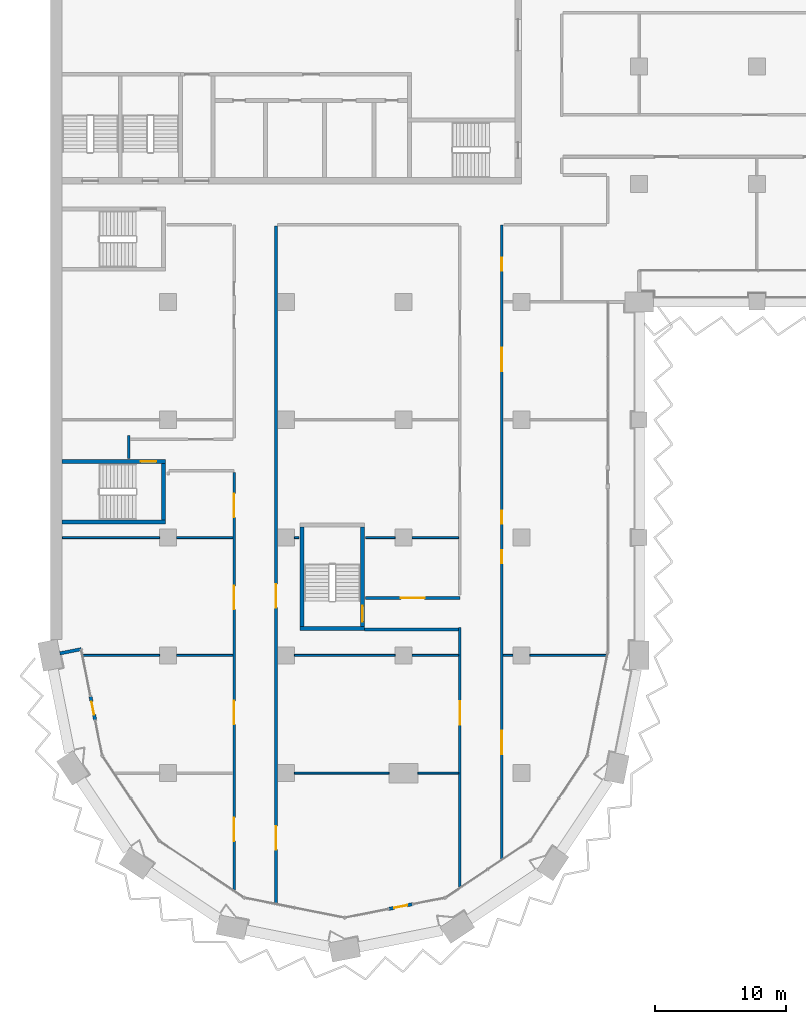
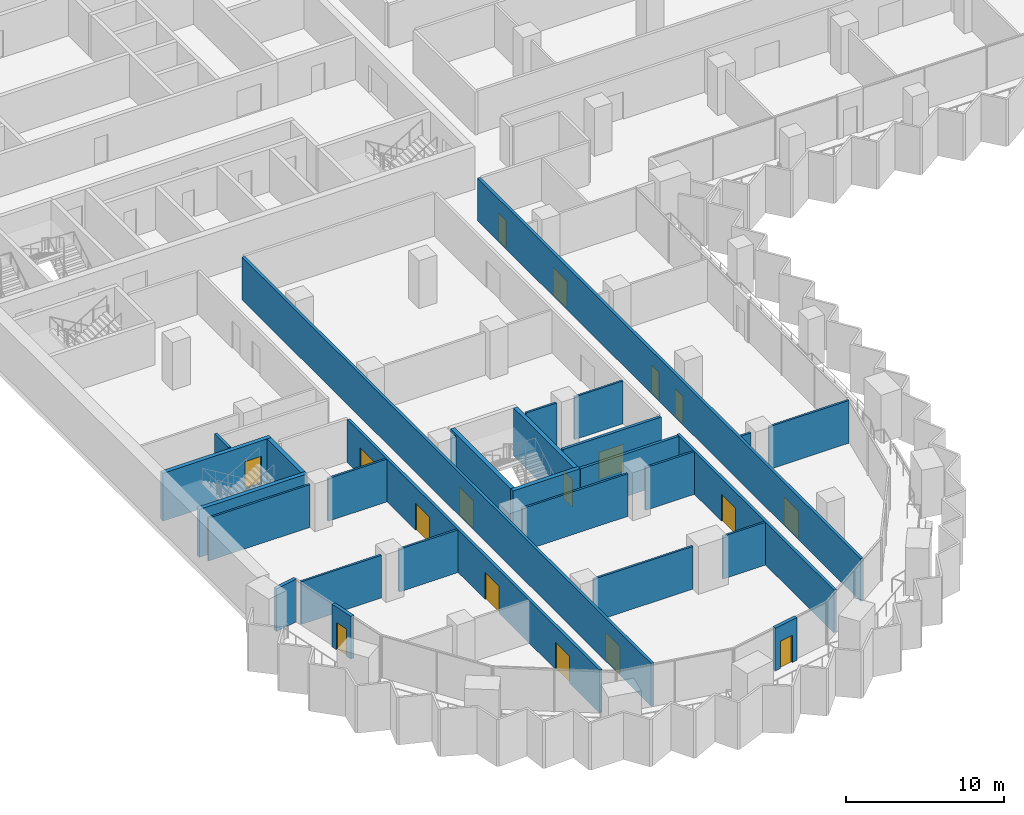
# One storey, part 9 of 23: 29 walls, 17 doors, 17 openings.
"""IFC4 building model written with IfcOpenShell, lengths in metres."""

from ifc_helpers import new_model, si_unit, direction, frame, frame_2d, origin, place, context, subcontext, project, spatial, rectangle, extrude, material, layer, layer_set, type_object, element, fill, save


model = new_model("IFC4")

# Units and contexts
model_context = context("Model", 3, precision=1e-05, world=origin(), true_north=direction((0.0, 1.0)))
body_context = subcontext(model_context, "Body", "Model", "MODEL_VIEW")
ifc_project = project(units=[si_unit("LENGTHUNIT", "METRE"), si_unit("AREAUNIT", "SQUARE_METRE"), si_unit("VOLUMEUNIT", "CUBIC_METRE"), si_unit("PLANEANGLEUNIT", "RADIAN"), si_unit("MASSUNIT", "GRAM", prefix="KILO")], contexts=[model_context])

# Site, building, storey
site_placement = place(None, origin())
site = spatial("IfcSite", under=ifc_project, at=site_placement, CompositionType="ELEMENT")
building_placement = place(site_placement, origin())
building = spatial("IfcBuilding", under=site, at=building_placement, Name="Hunhe Ridgeline Campus", CompositionType="ELEMENT")
storey_placement = place(building_placement, frame((0.0, 0.0, 107.0)))
storey = spatial("IfcBuildingStorey", under=building, at=storey_placement, Name="L26", CompositionType="ELEMENT", Elevation=107.0)

# Walls
ifc_material_1 = material(Name="Concrete C30", Category="concrete")
ifc_layer_1 = layer(ifc_material_1, 0.25)
ifc_layer_set_1 = layer_set([ifc_layer_1], Name="Corner return wall 250 Concrete C30")
wall_type_1 = type_object("IfcWallType", Name="Corner return wall 250 Concrete C30", PredefinedType="SOLIDWALL", material=ifc_layer_set_1)
wall_1_placement = place(storey_placement, frame((0.7353515625, 27.14697265625, 0.0), z_axis=(0.0, 0.0, 1.0), x_axis=(0.980824468215, 0.194893208067, 0.0)))
element("IfcWall", 1, at=wall_1_placement, inside=storey, type_object=wall_type_1, Name="Corner return wall 1", PredefinedType="SOLIDWALL", context=body_context, shape_type="SweptSolid", body=[
    extrude(rectangle(XDim=1.651123046875, YDim=0.25, at=frame_2d((0.82568359375, 0.0))), origin(), (0.0, 0.0, 1.0), 3.300048828125),
])
ifc_material_2 = material(Name="Gypsum board partition")
ifc_layer_2 = layer(ifc_material_2, 0.199951171875)
ifc_layer_set_2 = layer_set([ifc_layer_2], Name="Corridor partition 200 gypsum board on steel studs")
wall_type_2 = type_object("IfcWallType", Name="Corridor partition 200 gypsum board on steel studs", PredefinedType="PARTITIONING", material=ifc_layer_set_2)
wall_2_placement = place(storey_placement, frame((31.199951171875, 28.97509765625, 0.0), z_axis=(0.0, 0.0, 1.0), x_axis=(-1.0, 0.0, 0.0)))
element("IfcWall", 2, at=wall_2_placement, inside=storey, type_object=wall_type_2, Name="F-L26-wall-011", PredefinedType="PARTITIONING", context=body_context, shape_type="SweptSolid", body=[
    extrude(rectangle(XDim=7.169921875, YDim=0.199951171875, at=frame_2d((3.5849609375, 0.0))), origin(), (0.0, 0.0, 1.0), 3.300048828125),
])

# Wall, opening, door
wall_3_placement = place(storey_placement, frame((24.10400390625, 31.375, 0.0), z_axis=(0.0, 0.0, 1.0), x_axis=(1.0, 0.0, 0.0)))
wall_3 = element("IfcWall", 3, at=wall_3_placement, inside=storey, type_object=wall_type_2, Name="F-L26-wall-012", PredefinedType="PARTITIONING", context=body_context, shape_type="SweptSolid", body=[
    extrude(rectangle(XDim=7.196044921875, YDim=0.199951171875, at=frame_2d((3.59814453125, 0.0))), origin(), (0.0, 0.0, 1.0), 3.300048828125),
])
opening_1_placement = place(wall_3_placement, frame((2.697998046875, 0.0, 0.0)))
opening_1 = element("IfcOpeningElement", 4, at=opening_1_placement, cuts=wall_3, Name="Opening RD2-007", PredefinedType="OPENING", context=body_context, shape_type="SweptSolid", body=[
    extrude(rectangle(XDim=1.800048828125, YDim=2.10009765625, at=frame_2d((0.89990234375, 1.050048828125))), frame((0.0, 0.10009765625, 0.0), z_axis=(0.0, -1.0, 0.0), x_axis=(1.0, 0.0, 0.0)), (0.0, 0.0, 1.0), 0.199951171875),
])
ifc_material_3 = material(Name="Timber door leaf", Category="wood")
door_type_1 = type_object("IfcDoorType", Name="Double fire door 1800x2100 timber FD60", OperationType="DOUBLE_DOOR_SINGLE_SWING", PredefinedType="DOOR", material=ifc_material_3)
door_1_placement = place(opening_1_placement, origin())
door_1 = element("IfcDoor", 5, at=door_1_placement, inside=storey, type_object=door_type_1, Name="F-L26-door-007", OperationType="DOUBLE_DOOR_SINGLE_SWING", OverallHeight=2.10009765625, OverallWidth=1.800048828125, PredefinedType="DOOR", context=body_context, shape_type="SweptSolid", body=[
    extrude(rectangle(XDim=1.800048828125, YDim=2.10009765625, at=frame_2d((0.89990234375, 1.050048828125))), frame((0.0, 0.02490234375, 0.0), z_axis=(0.0, -1.0, 0.0), x_axis=(1.0, 0.0, 0.0)), (0.0, 0.0, 1.0), 0.050048828125),
])
fill(opening_1, door_1)

# Wall
wall_4_placement = place(storey_placement, frame((6.0, 42.053955078125, 0.0), z_axis=(0.0, 0.0, 1.0), x_axis=(0.0, 1.0, 0.0)))
element("IfcWall", 6, at=wall_4_placement, inside=storey, type_object=wall_type_2, Name="F-L26-wall-039", PredefinedType="PARTITIONING", context=body_context, shape_type="SweptSolid", body=[
    extrude(rectangle(XDim=1.74609375, YDim=0.199951171875, at=frame_2d((0.873046875, 0.0))), origin(), (0.0, 0.0, 1.0), 3.300048828125),
])

# Wall, openings, doors
wall_5_placement = place(storey_placement, frame((14.050048828125, 9.05810546875, 0.0), z_axis=(0.0, 0.0, 1.0), x_axis=(0.0, 1.0, 0.0)))
wall_5 = element("IfcWall", 7, at=wall_5_placement, inside=storey, type_object=wall_type_2, Name="F-L26-wall-041", PredefinedType="PARTITIONING", context=body_context, shape_type="SweptSolid", body=[
    extrude(rectangle(XDim=31.90087890625, YDim=0.199951171875, at=frame_2d((15.950439453125, 0.0))), origin(), (0.0, 0.0, 1.0), 3.300048828125),
])
opening_2_placement = place(wall_5_placement, frame((3.7470703125, 0.0, 0.0)))
opening_2 = element("IfcOpeningElement", 8, at=opening_2_placement, cuts=wall_5, Name="Opening RD2-002", PredefinedType="OPENING", context=body_context, shape_type="SweptSolid", body=[
    extrude(rectangle(XDim=1.800048828125, YDim=2.10009765625, at=frame_2d((0.89990234375, 1.050048828125))), frame((0.0, 0.10009765625, 0.0), z_axis=(0.0, -1.0, 0.0), x_axis=(1.0, 0.0, 0.0)), (0.0, 0.0, 1.0), 0.199951171875),
])
opening_3_placement = place(wall_5_placement, frame((12.6640625, 0.0, 0.0)))
opening_3 = element("IfcOpeningElement", 9, at=opening_3_placement, cuts=wall_5, Name="Opening RD2-004", PredefinedType="OPENING", context=body_context, shape_type="SweptSolid", body=[
    extrude(rectangle(XDim=1.800048828125, YDim=2.10009765625, at=frame_2d((0.89990234375, 1.050048828125))), frame((0.0, 0.10009765625, 0.0), z_axis=(0.0, -1.0, 0.0), x_axis=(1.0, 0.0, 0.0)), (0.0, 0.0, 1.0), 0.199951171875),
])
opening_4_placement = place(wall_5_placement, frame((21.455810546875, 0.0, 0.0)))
opening_4 = element("IfcOpeningElement", 10, at=opening_4_placement, cuts=wall_5, Name="Opening RD2-006", PredefinedType="OPENING", context=body_context, shape_type="SweptSolid", body=[
    extrude(rectangle(XDim=1.800048828125, YDim=2.10009765625, at=frame_2d((0.89990234375, 1.050048828125))), frame((0.0, 0.10009765625, 0.0), z_axis=(0.0, -1.0, 0.0), x_axis=(1.0, 0.0, 0.0)), (0.0, 0.0, 1.0), 0.199951171875),
])
opening_5_placement = place(wall_5_placement, frame((28.489013671875, 0.0, 0.0)))
opening_5 = element("IfcOpeningElement", 11, at=opening_5_placement, cuts=wall_5, Name="Opening RD2-011", PredefinedType="OPENING", context=body_context, shape_type="SweptSolid", body=[
    extrude(rectangle(XDim=1.800048828125, YDim=2.10009765625, at=frame_2d((0.89990234375, 1.050048828125))), frame((0.0, 0.10009765625, 0.0), z_axis=(0.0, -1.0, 0.0), x_axis=(1.0, 0.0, 0.0)), (0.0, 0.0, 1.0), 0.199951171875),
])
door_2_placement = place(opening_2_placement, origin())
door_2 = element("IfcDoor", 12, at=door_2_placement, inside=storey, type_object=door_type_1, Name="F-L26-door-002", OperationType="DOUBLE_DOOR_SINGLE_SWING", OverallHeight=2.10009765625, OverallWidth=1.800048828125, PredefinedType="DOOR", context=body_context, shape_type="SweptSolid", body=[
    extrude(rectangle(XDim=1.800048828125, YDim=2.10009765625, at=frame_2d((0.89990234375, 1.050048828125))), frame((0.0, 0.02490234375, 0.0), z_axis=(0.0, -1.0, 0.0), x_axis=(1.0, 0.0, 0.0)), (0.0, 0.0, 1.0), 0.050048828125),
])
fill(opening_2, door_2)
door_3_placement = place(opening_3_placement, origin())
door_3 = element("IfcDoor", 13, at=door_3_placement, inside=storey, type_object=door_type_1, Name="F-L26-door-004", OperationType="DOUBLE_DOOR_SINGLE_SWING", OverallHeight=2.10009765625, OverallWidth=1.800048828125, PredefinedType="DOOR", context=body_context, shape_type="SweptSolid", body=[
    extrude(rectangle(XDim=1.800048828125, YDim=2.10009765625, at=frame_2d((0.89990234375, 1.050048828125))), frame((0.0, 0.02490234375, 0.0), z_axis=(0.0, -1.0, 0.0), x_axis=(1.0, 0.0, 0.0)), (0.0, 0.0, 1.0), 0.050048828125),
])
fill(opening_3, door_3)
door_4_placement = place(opening_4_placement, origin())
door_4 = element("IfcDoor", 14, at=door_4_placement, inside=storey, type_object=door_type_1, Name="F-L26-door-006", OperationType="DOUBLE_DOOR_SINGLE_SWING", OverallHeight=2.10009765625, OverallWidth=1.800048828125, PredefinedType="DOOR", context=body_context, shape_type="SweptSolid", body=[
    extrude(rectangle(XDim=1.800048828125, YDim=2.10009765625, at=frame_2d((0.89990234375, 1.050048828125))), frame((0.0, 0.02490234375, 0.0), z_axis=(0.0, -1.0, 0.0), x_axis=(1.0, 0.0, 0.0)), (0.0, 0.0, 1.0), 0.050048828125),
])
fill(opening_4, door_4)
door_5_placement = place(opening_5_placement, origin())
door_5 = element("IfcDoor", 15, at=door_5_placement, inside=storey, type_object=door_type_1, Name="F-L26-door-011", OperationType="DOUBLE_DOOR_SINGLE_SWING", OverallHeight=2.10009765625, OverallWidth=1.800048828125, PredefinedType="DOOR", context=body_context, shape_type="SweptSolid", body=[
    extrude(rectangle(XDim=1.800048828125, YDim=2.10009765625, at=frame_2d((0.89990234375, 1.050048828125))), frame((0.0, 0.02490234375, 0.0), z_axis=(0.0, -1.0, 0.0), x_axis=(1.0, 0.0, 0.0)), (0.0, 0.0, 1.0), 0.050048828125),
])
fill(opening_5, door_5)

wall_6_placement = place(storey_placement, frame((17.25, 59.800048828125, 0.0), z_axis=(0.0, 0.0, 1.0), x_axis=(0.0, -1.0, 0.0)))
wall_6 = element("IfcWall", 16, at=wall_6_placement, inside=storey, type_object=wall_type_2, Name="F-L26-wall-043", PredefinedType="PARTITIONING", context=body_context, shape_type="SweptSolid", body=[
    extrude(rectangle(XDim=51.752685546875, YDim=0.199951171875, at=frame_2d((25.87646484375, 0.0))), origin(), (0.0, 0.0, 1.0), 3.300048828125),
])
opening_6_placement = place(wall_6_placement, frame((45.852294921875, 0.0, 0.0)))
opening_6 = element("IfcOpeningElement", 17, at=opening_6_placement, cuts=wall_6, Name="Opening RD2-001", PredefinedType="OPENING", context=body_context, shape_type="SweptSolid", body=[
    extrude(rectangle(XDim=1.800048828125, YDim=2.10009765625, at=frame_2d((0.89990234375, 1.050048828125))), frame((0.0, 0.10009765625, 0.0), z_axis=(0.0, -1.0, 0.0), x_axis=(1.0, 0.0, 0.0)), (0.0, 0.0, 1.0), 0.199951171875),
])
opening_7_placement = place(wall_6_placement, frame((27.351318359375, 0.0, 0.0)))
opening_7 = element("IfcOpeningElement", 18, at=opening_7_placement, cuts=wall_6, Name="Opening RD2-008", PredefinedType="OPENING", context=body_context, shape_type="SweptSolid", body=[
    extrude(rectangle(XDim=1.800048828125, YDim=2.10009765625, at=frame_2d((0.89990234375, 1.050048828125))), frame((0.0, 0.10009765625, 0.0), z_axis=(0.0, -1.0, 0.0), x_axis=(1.0, 0.0, 0.0)), (0.0, 0.0, 1.0), 0.199951171875),
])
door_6_placement = place(opening_6_placement, origin())
door_6 = element("IfcDoor", 19, at=door_6_placement, inside=storey, type_object=door_type_1, Name="F-L26-door-001", OperationType="DOUBLE_DOOR_SINGLE_SWING", OverallHeight=2.10009765625, OverallWidth=1.800048828125, PredefinedType="DOOR", context=body_context, shape_type="SweptSolid", body=[
    extrude(rectangle(XDim=1.800048828125, YDim=2.10009765625, at=frame_2d((0.89990234375, 1.050048828125))), frame((0.0, 0.02490234375, 0.0), z_axis=(0.0, -1.0, 0.0), x_axis=(1.0, 0.0, 0.0)), (0.0, 0.0, 1.0), 0.050048828125),
])
fill(opening_6, door_6)
door_7_placement = place(opening_7_placement, origin())
door_7 = element("IfcDoor", 20, at=door_7_placement, inside=storey, type_object=door_type_1, Name="F-L26-door-008", OperationType="DOUBLE_DOOR_SINGLE_SWING", OverallHeight=2.10009765625, OverallWidth=1.800048828125, PredefinedType="DOOR", context=body_context, shape_type="SweptSolid", body=[
    extrude(rectangle(XDim=1.800048828125, YDim=2.10009765625, at=frame_2d((0.89990234375, 1.050048828125))), frame((0.0, 0.02490234375, 0.0), z_axis=(0.0, -1.0, 0.0), x_axis=(1.0, 0.0, 0.0)), (0.0, 0.0, 1.0), 0.050048828125),
])
fill(opening_7, door_7)

# Wall, opening, door
wall_7_placement = place(storey_placement, frame((31.300048828125, 9.2919921875, 0.0), z_axis=(0.0, 0.0, 1.0), x_axis=(0.0, 1.0, 0.0)))
wall_7 = element("IfcWall", 21, at=wall_7_placement, inside=storey, type_object=wall_type_2, Name="F-L26-wall-044", PredefinedType="PARTITIONING", context=body_context, shape_type="SweptSolid", body=[
    extrude(rectangle(XDim=19.84619140625, YDim=0.199951171875, at=frame_2d((9.923095703125, 0.0))), origin(), (0.0, 0.0, 1.0), 3.300048828125),
])
opening_8_placement = place(wall_7_placement, frame((12.41455078125, 0.0, 0.0)))
opening_8 = element("IfcOpeningElement", 22, at=opening_8_placement, cuts=wall_7, Name="Opening RD2-005", PredefinedType="OPENING", context=body_context, shape_type="SweptSolid", body=[
    extrude(rectangle(XDim=1.800048828125, YDim=2.10009765625, at=frame_2d((0.89990234375, 1.050048828125))), frame((0.0, 0.10009765625, 0.0), z_axis=(0.0, -1.0, 0.0), x_axis=(1.0, 0.0, 0.0)), (0.0, 0.0, 1.0), 0.199951171875),
])
door_8_placement = place(opening_8_placement, origin())
door_8 = element("IfcDoor", 23, at=door_8_placement, inside=storey, type_object=door_type_1, Name="F-L26-door-005", OperationType="DOUBLE_DOOR_SINGLE_SWING", OverallHeight=2.10009765625, OverallWidth=1.800048828125, PredefinedType="DOOR", context=body_context, shape_type="SweptSolid", body=[
    extrude(rectangle(XDim=1.800048828125, YDim=2.10009765625, at=frame_2d((0.89990234375, 1.050048828125))), frame((0.0, 0.02490234375, 0.0), z_axis=(0.0, -1.0, 0.0), x_axis=(1.0, 0.0, 0.0)), (0.0, 0.0, 1.0), 0.050048828125),
])
fill(opening_8, door_8)

# Wall, openings, doors
wall_8_placement = place(storey_placement, frame((34.5, 59.89990234375, 0.0), z_axis=(0.0, 0.0, 1.0), x_axis=(0.0, -1.0, 0.0)))
wall_8 = element("IfcWall", 24, at=wall_8_placement, inside=storey, type_object=wall_type_2, Name="F-L26-wall-046", PredefinedType="PARTITIONING", context=body_context, shape_type="SweptSolid", body=[
    extrude(rectangle(XDim=48.4697265625, YDim=0.199951171875, at=frame_2d((24.23486328125, 0.0))), origin(), (0.0, 0.0, 1.0), 3.300048828125),
])
opening_9_placement = place(wall_8_placement, frame((38.658935546875, 0.0, 0.0)))
opening_9 = element("IfcOpeningElement", 25, at=opening_9_placement, cuts=wall_8, Name="Opening RD2-003", PredefinedType="OPENING", context=body_context, shape_type="SweptSolid", body=[
    extrude(rectangle(XDim=1.800048828125, YDim=2.10009765625, at=frame_2d((0.89990234375, 1.050048828125))), frame((0.0, 0.10009765625, 0.0), z_axis=(0.0, -1.0, 0.0), x_axis=(1.0, 0.0, 0.0)), (0.0, 0.0, 1.0), 0.199951171875),
])
opening_10_placement = place(wall_8_placement, frame((24.858154296875, 0.0, 0.0)))
opening_10 = element("IfcOpeningElement", 26, at=opening_10_placement, cuts=wall_8, Name="Opening RD1-009", PredefinedType="OPENING", context=body_context, shape_type="SweptSolid", body=[
    extrude(rectangle(XDim=1.0, YDim=2.10009765625, at=frame_2d((0.5, 1.050048828125))), frame((0.0, 0.10009765625, 0.0), z_axis=(0.0, -1.0, 0.0), x_axis=(1.0, 0.0, 0.0)), (0.0, 0.0, 1.0), 0.199951171875),
])
opening_11_placement = place(wall_8_placement, frame((21.858154296875, 0.0, 0.0)))
opening_11 = element("IfcOpeningElement", 27, at=opening_11_placement, cuts=wall_8, Name="Opening RD1-010", PredefinedType="OPENING", context=body_context, shape_type="SweptSolid", body=[
    extrude(rectangle(XDim=1.0, YDim=2.10009765625, at=frame_2d((0.5, 1.050048828125))), frame((0.0, 0.10009765625, 0.0), z_axis=(0.0, -1.0, 0.0), x_axis=(1.0, 0.0, 0.0)), (0.0, 0.0, 1.0), 0.199951171875),
])
opening_12_placement = place(wall_8_placement, frame((9.396728515625, 0.0, 0.0)))
opening_12 = element("IfcOpeningElement", 28, at=opening_12_placement, cuts=wall_8, Name="Opening RD2-014", PredefinedType="OPENING", context=body_context, shape_type="SweptSolid", body=[
    extrude(rectangle(XDim=1.800048828125, YDim=2.10009765625, at=frame_2d((0.89990234375, 1.050048828125))), frame((0.0, 0.10009765625, 0.0), z_axis=(0.0, -1.0, 0.0), x_axis=(1.0, 0.0, 0.0)), (0.0, 0.0, 1.0), 0.199951171875),
])
opening_13_placement = place(wall_8_placement, frame((2.513671875, 0.0, 0.0)))
opening_13 = element("IfcOpeningElement", 29, at=opening_13_placement, cuts=wall_8, Name="Opening RD1-018", PredefinedType="OPENING", context=body_context, shape_type="SweptSolid", body=[
    extrude(rectangle(XDim=1.0, YDim=2.10009765625, at=frame_2d((0.5, 1.050048828125))), frame((0.0, 0.10009765625, 0.0), z_axis=(0.0, -1.0, 0.0), x_axis=(1.0, 0.0, 0.0)), (0.0, 0.0, 1.0), 0.199951171875),
])
door_9_placement = place(opening_9_placement, origin())
door_9 = element("IfcDoor", 30, at=door_9_placement, inside=storey, type_object=door_type_1, Name="F-L26-door-003", OperationType="DOUBLE_DOOR_SINGLE_SWING", OverallHeight=2.10009765625, OverallWidth=1.800048828125, PredefinedType="DOOR", context=body_context, shape_type="SweptSolid", body=[
    extrude(rectangle(XDim=1.800048828125, YDim=2.10009765625, at=frame_2d((0.89990234375, 1.050048828125))), frame((0.0, 0.02490234375, 0.0), z_axis=(0.0, -1.0, 0.0), x_axis=(1.0, 0.0, 0.0)), (0.0, 0.0, 1.0), 0.050048828125),
])
fill(opening_9, door_9)
door_10_placement = place(opening_12_placement, origin())
door_10 = element("IfcDoor", 31, at=door_10_placement, inside=storey, type_object=door_type_1, Name="F-L26-door-014", OperationType="DOUBLE_DOOR_SINGLE_SWING", OverallHeight=2.10009765625, OverallWidth=1.800048828125, PredefinedType="DOOR", context=body_context, shape_type="SweptSolid", body=[
    extrude(rectangle(XDim=1.800048828125, YDim=2.10009765625, at=frame_2d((0.89990234375, 1.050048828125))), frame((0.0, 0.02490234375, 0.0), z_axis=(0.0, -1.0, 0.0), x_axis=(1.0, 0.0, 0.0)), (0.0, 0.0, 1.0), 0.050048828125),
])
fill(opening_12, door_10)
door_type_2 = type_object("IfcDoorType", Name="Single fire door 1000x2100 timber FD60", OperationType="NOTDEFINED", PredefinedType="DOOR", material=ifc_material_3)
door_11_placement = place(opening_10_placement, frame((1.0, 0.0, 0.0), z_axis=(0.0, 0.0, 1.0), x_axis=(-1.0, 0.0, 0.0)))
door_11 = element("IfcDoor", 32, at=door_11_placement, inside=storey, type_object=door_type_2, Name="F-L26-door-009", OperationType="SINGLE_SWING_LEFT", OverallHeight=2.10009765625, OverallWidth=1.0, PredefinedType="DOOR", context=body_context, shape_type="SweptSolid", body=[
    extrude(rectangle(XDim=1.0, YDim=2.10009765625, at=frame_2d((0.5, 1.050048828125))), frame((0.0, 0.02490234375, 0.0), z_axis=(0.0, -1.0, 0.0), x_axis=(1.0, 0.0, 0.0)), (0.0, 0.0, 1.0), 0.050048828125),
])
fill(opening_10, door_11)
door_12_placement = place(opening_11_placement, frame((1.0, 0.0, 0.0), z_axis=(0.0, 0.0, 1.0), x_axis=(-1.0, 0.0, 0.0)))
door_12 = element("IfcDoor", 33, at=door_12_placement, inside=storey, type_object=door_type_2, Name="F-L26-door-010", OperationType="SINGLE_SWING_RIGHT", OverallHeight=2.10009765625, OverallWidth=1.0, PredefinedType="DOOR", context=body_context, shape_type="SweptSolid", body=[
    extrude(rectangle(XDim=1.0, YDim=2.10009765625, at=frame_2d((0.5, 1.050048828125))), frame((0.0, 0.02490234375, 0.0), z_axis=(0.0, -1.0, 0.0), x_axis=(1.0, 0.0, 0.0)), (0.0, 0.0, 1.0), 0.050048828125),
])
fill(opening_11, door_12)
door_13_placement = place(opening_13_placement, origin())
door_13 = element("IfcDoor", 34, at=door_13_placement, inside=storey, type_object=door_type_2, Name="F-L26-door-018", OperationType="SINGLE_SWING_LEFT", OverallHeight=2.10009765625, OverallWidth=1.0, PredefinedType="DOOR", context=body_context, shape_type="SweptSolid", body=[
    extrude(rectangle(XDim=1.0, YDim=2.10009765625, at=frame_2d((0.5, 1.050048828125))), frame((0.0, 0.02490234375, 0.0), z_axis=(0.0, -1.0, 0.0), x_axis=(1.0, 0.0, 0.0)), (0.0, 0.0, 1.0), 0.050048828125),
])
fill(opening_13, door_13)

# Wall, opening, door
ifc_layer_3 = layer(ifc_material_1, 0.25)
ifc_layer_set_3 = layer_set([ifc_layer_3], Name="Loggia door pier wall 250 Concrete C30")
wall_type_3 = type_object("IfcWallType", Name="Loggia door pier wall 250 Concrete C30", PredefinedType="SOLIDWALL", material=ifc_layer_set_3)
wall_9_placement = place(storey_placement, frame((3.076904296875, 23.8388671875, 0.0), z_axis=(0.0, 0.0, 1.0), x_axis=(0.195046569833, -0.980793982239, 0.0)))
wall_9 = element("IfcWall", 35, at=wall_9_placement, inside=storey, type_object=wall_type_3, Name="Loggia door pier 1", PredefinedType="SOLIDWALL", context=body_context, shape_type="SweptSolid", body=[
    extrude(rectangle(XDim=1.800048828125, YDim=0.25, at=frame_2d((0.89990234375, 0.0))), origin(), (0.0, 0.0, 1.0), 3.300048828125),
])
opening_14_placement = place(wall_9_placement, frame((0.39990234375, 0.0, 0.0)))
opening_14 = element("IfcOpeningElement", 36, at=opening_14_placement, cuts=wall_9, Name="Opening BD201", PredefinedType="OPENING", context=body_context, shape_type="SweptSolid", body=[
    extrude(rectangle(XDim=1.0, YDim=2.10009765625, at=frame_2d((0.5, 1.050048828125))), frame((0.0, 0.125, 0.0), z_axis=(0.0, -1.0, 0.0), x_axis=(1.0, 0.0, 0.0)), (0.0, 0.0, 1.0), 0.25),
])
ifc_material_4 = material(Name="Aluminium 6063", Category="aluminium")
door_type_3 = type_object("IfcDoorType", Name="Loggia glazed door 1000x2100", OperationType="NOTDEFINED", PredefinedType="DOOR", material=ifc_material_4)
door_14_placement = place(opening_14_placement, frame((1.0, 0.0, 0.0), z_axis=(0.0, 0.0, 1.0), x_axis=(-1.0, 0.0, 0.0)))
door_14 = element("IfcDoor", 37, at=door_14_placement, inside=storey, type_object=door_type_3, Name="Loggia door BD201", OperationType="SINGLE_SWING_RIGHT", OverallHeight=2.10009765625, OverallWidth=1.0, PredefinedType="DOOR", context=body_context, shape_type="SweptSolid", body=[
    extrude(rectangle(XDim=1.0, YDim=2.10009765625, at=frame_2d((0.5, 1.050048828125))), frame((0.0, 0.02490234375, 0.0), z_axis=(0.0, -1.0, 0.0), x_axis=(1.0, 0.0, 0.0)), (0.0, 0.0, 1.0), 0.050048828125),
])
fill(opening_14, door_14)

wall_10_placement = place(storey_placement, frame((25.8955078125, 7.62353515625, 0.0), z_axis=(0.0, 0.0, 1.0), x_axis=(0.980793982239, 0.195046569833, 0.0)))
wall_10 = element("IfcWall", 38, at=wall_10_placement, inside=storey, type_object=wall_type_3, Name="Loggia door pier 2", PredefinedType="SOLIDWALL", context=body_context, shape_type="SweptSolid", body=[
    extrude(rectangle(XDim=1.800048828125, YDim=0.25, at=frame_2d((0.89990234375, 0.0))), origin(), (0.0, 0.0, 1.0), 3.300048828125),
])
opening_15_placement = place(wall_10_placement, frame((0.39990234375, 0.0, 0.0)))
opening_15 = element("IfcOpeningElement", 39, at=opening_15_placement, cuts=wall_10, Name="Opening BD203", PredefinedType="OPENING", context=body_context, shape_type="SweptSolid", body=[
    extrude(rectangle(XDim=1.0, YDim=2.10009765625, at=frame_2d((0.5, 1.050048828125))), frame((0.0, 0.125, 0.0), z_axis=(0.0, -1.0, 0.0), x_axis=(1.0, 0.0, 0.0)), (0.0, 0.0, 1.0), 0.25),
])
door_15_placement = place(opening_15_placement, frame((1.0, 0.0, 0.0), z_axis=(0.0, 0.0, 1.0), x_axis=(-1.0, 0.0, 0.0)))
door_15 = element("IfcDoor", 40, at=door_15_placement, inside=storey, type_object=door_type_3, Name="Loggia door BD203", OperationType="SINGLE_SWING_RIGHT", OverallHeight=2.10009765625, OverallWidth=1.0, PredefinedType="DOOR", context=body_context, shape_type="SweptSolid", body=[
    extrude(rectangle(XDim=1.0, YDim=2.10009765625, at=frame_2d((0.5, 1.050048828125))), frame((0.0, 0.02490234375, 0.0), z_axis=(0.0, -1.0, 0.0), x_axis=(1.0, 0.0, 0.0)), (0.0, 0.0, 1.0), 0.050048828125),
])
fill(opening_15, door_15)

# Walls
ifc_layer_4 = layer(ifc_material_2, 0.14990234375)
ifc_layer_set_4 = layer_set([ifc_layer_4], Name="Room partition 150 gypsum board on steel studs")
wall_type_4 = type_object("IfcWallType", Name="Room partition 150 gypsum board on steel studs", PredefinedType="PARTITIONING", material=ifc_layer_set_4)
wall_11_placement = place(storey_placement, frame((18.64990234375, 18.0, 0.0), z_axis=(0.0, 0.0, 1.0), x_axis=(1.0, 0.0, 0.0)))
element("IfcWall", 41, at=wall_11_placement, inside=storey, type_object=wall_type_4, Name="F-L26-wall-003", PredefinedType="PARTITIONING", context=body_context, shape_type="SweptSolid", body=[
    extrude(rectangle(XDim=7.25, YDim=0.14990234375, at=frame_2d((3.625, 0.0))), origin(), (0.0, 0.0, 1.0), 3.300048828125),
])
wall_12_placement = place(storey_placement, frame((28.10009765625, 18.0, 0.0), z_axis=(0.0, 0.0, 1.0), x_axis=(1.0, 0.0, 0.0)))
element("IfcWall", 42, at=wall_12_placement, inside=storey, type_object=wall_type_4, Name="F-L26-wall-004", PredefinedType="PARTITIONING", context=body_context, shape_type="SweptSolid", body=[
    extrude(rectangle(XDim=3.099853515625, YDim=0.14990234375, at=frame_2d((1.5498046875, 0.0))), origin(), (0.0, 0.0, 1.0), 3.300048828125),
])
wall_13_placement = place(storey_placement, frame((2.503173828125, 27.0, 0.0), z_axis=(0.0, 0.0, 1.0), x_axis=(1.0, 0.0, 0.0)))
element("IfcWall", 43, at=wall_13_placement, inside=storey, type_object=wall_type_4, Name="F-L26-wall-005", PredefinedType="PARTITIONING", context=body_context, shape_type="SweptSolid", body=[
    extrude(rectangle(XDim=5.846923828125, YDim=0.14990234375, at=frame_2d((2.92333984375, 0.0))), origin(), (0.0, 0.0, 1.0), 3.300048828125),
])
wall_14_placement = place(storey_placement, frame((9.64990234375, 27.0, 0.0), z_axis=(0.0, 0.0, 1.0), x_axis=(1.0, 0.0, 0.0)))
element("IfcWall", 44, at=wall_14_placement, inside=storey, type_object=wall_type_4, Name="F-L26-wall-006", PredefinedType="PARTITIONING", context=body_context, shape_type="SweptSolid", body=[
    extrude(rectangle(XDim=4.300048828125, YDim=0.14990234375, at=frame_2d((2.14990234375, 0.0))), origin(), (0.0, 0.0, 1.0), 3.300048828125),
])
wall_15_placement = place(storey_placement, frame((18.64990234375, 27.0, 0.0), z_axis=(0.0, 0.0, 1.0), x_axis=(1.0, 0.0, 0.0)))
element("IfcWall", 45, at=wall_15_placement, inside=storey, type_object=wall_type_4, Name="F-L26-wall-007", PredefinedType="PARTITIONING", context=body_context, shape_type="SweptSolid", body=[
    extrude(rectangle(XDim=7.7001953125, YDim=0.14990234375, at=frame_2d((3.85009765625, 0.0))), origin(), (0.0, 0.0, 1.0), 3.300048828125),
])
wall_16_placement = place(storey_placement, frame((27.64990234375, 27.0, 0.0), z_axis=(0.0, 0.0, 1.0), x_axis=(1.0, 0.0, 0.0)))
element("IfcWall", 46, at=wall_16_placement, inside=storey, type_object=wall_type_4, Name="F-L26-wall-008", PredefinedType="PARTITIONING", context=body_context, shape_type="SweptSolid", body=[
    extrude(rectangle(XDim=3.550048828125, YDim=0.14990234375, at=frame_2d((1.77490234375, 0.0))), origin(), (0.0, 0.0, 1.0), 3.300048828125),
])
wall_17_placement = place(storey_placement, frame((34.60009765625, 27.0, 0.0), z_axis=(0.0, 0.0, 1.0), x_axis=(1.0, 0.0, 0.0)))
element("IfcWall", 47, at=wall_17_placement, inside=storey, type_object=wall_type_4, Name="F-L26-wall-009", PredefinedType="PARTITIONING", context=body_context, shape_type="SweptSolid", body=[
    extrude(rectangle(XDim=0.75, YDim=0.14990234375, at=frame_2d((0.375, 0.0))), origin(), (0.0, 0.0, 1.0), 3.300048828125),
])
wall_18_placement = place(storey_placement, frame((36.64990234375, 27.0, 0.0), z_axis=(0.0, 0.0, 1.0), x_axis=(1.0, 0.0, 0.0)))
element("IfcWall", 48, at=wall_18_placement, inside=storey, type_object=wall_type_4, Name="F-L26-wall-010", PredefinedType="PARTITIONING", context=body_context, shape_type="SweptSolid", body=[
    extrude(rectangle(XDim=5.846923828125, YDim=0.14990234375, at=frame_2d((2.92333984375, 0.0))), origin(), (0.0, 0.0, 1.0), 3.300048828125),
])
wall_19_placement = place(storey_placement, frame((0.919921875, 36.0, 0.0), z_axis=(0.0, 0.0, 1.0), x_axis=(1.0, 0.0, 0.0)))
element("IfcWall", 49, at=wall_19_placement, inside=storey, type_object=wall_type_4, Name="F-L26-wall-013", PredefinedType="PARTITIONING", context=body_context, shape_type="SweptSolid", body=[
    extrude(rectangle(XDim=7.43017578125, YDim=0.14990234375, at=frame_2d((3.715087890625, 0.0))), origin(), (0.0, 0.0, 1.0), 3.300048828125),
])
wall_20_placement = place(storey_placement, frame((9.64990234375, 36.0, 0.0), z_axis=(0.0, 0.0, 1.0), x_axis=(1.0, 0.0, 0.0)))
element("IfcWall", 50, at=wall_20_placement, inside=storey, type_object=wall_type_4, Name="F-L26-wall-014", PredefinedType="PARTITIONING", context=body_context, shape_type="SweptSolid", body=[
    extrude(rectangle(XDim=4.300048828125, YDim=0.14990234375, at=frame_2d((2.14990234375, 0.0))), origin(), (0.0, 0.0, 1.0), 3.300048828125),
])
wall_21_placement = place(storey_placement, frame((18.64990234375, 36.0, 0.0), z_axis=(0.0, 0.0, 1.0), x_axis=(1.0, 0.0, 0.0)))
element("IfcWall", 51, at=wall_21_placement, inside=storey, type_object=wall_type_4, Name="F-L26-wall-015", PredefinedType="PARTITIONING", context=body_context, shape_type="SweptSolid", body=[
    extrude(rectangle(XDim=0.34619140625, YDim=0.14990234375, at=frame_2d((0.173095703125, 0.0))), origin(), (0.0, 0.0, 1.0), 3.300048828125),
])
wall_22_placement = place(storey_placement, frame((24.10400390625, 36.0, 0.0), z_axis=(0.0, 0.0, 1.0), x_axis=(1.0, 0.0, 0.0)))
element("IfcWall", 52, at=wall_22_placement, inside=storey, type_object=wall_type_4, Name="F-L26-wall-016", PredefinedType="PARTITIONING", context=body_context, shape_type="SweptSolid", body=[
    extrude(rectangle(XDim=2.24609375, YDim=0.14990234375, at=frame_2d((1.123046875, 0.0))), origin(), (0.0, 0.0, 1.0), 3.300048828125),
])
wall_23_placement = place(storey_placement, frame((27.64990234375, 36.0, 0.0), z_axis=(0.0, 0.0, 1.0), x_axis=(1.0, 0.0, 0.0)))
element("IfcWall", 53, at=wall_23_placement, inside=storey, type_object=wall_type_4, Name="F-L26-wall-017", PredefinedType="PARTITIONING", context=body_context, shape_type="SweptSolid", body=[
    extrude(rectangle(XDim=3.550048828125, YDim=0.14990234375, at=frame_2d((1.77490234375, 0.0))), origin(), (0.0, 0.0, 1.0), 3.300048828125),
])
ifc_material_5 = material(Name="Concrete C80", Category="concrete")
ifc_layer_5 = layer(ifc_material_5, 0.300048828125)
ifc_layer_set_5 = layer_set([ifc_layer_5], Name="Stair wall 300 reinforced concrete C80")
wall_type_5 = type_object("IfcWallType", Name="Stair wall 300 reinforced concrete C80", PredefinedType="SOLIDWALL", material=ifc_layer_set_5)
wall_24_placement = place(storey_placement, frame((19.10009765625, 29.050048828125, -0.39990234375), z_axis=(0.0, 0.0, 1.0), x_axis=(1.0, 0.0, 0.0)))
element("IfcWall", 54, at=wall_24_placement, inside=storey, type_object=wall_type_5, Name="L26 core wall 1", PredefinedType="SOLIDWALL", context=body_context, shape_type="SweptSolid", body=[
    extrude(rectangle(XDim=4.89990234375, YDim=0.300048828125, at=frame_2d((2.449951171875, 0.0))), origin(), (0.0, 0.0, 1.0), 3.699951171875),
])
wall_25_placement = place(storey_placement, frame((0.89990234375, 37.199951171875, -0.39990234375), z_axis=(0.0, 0.0, 1.0), x_axis=(1.0, 0.0, 0.0)))
element("IfcWall", 55, at=wall_25_placement, inside=storey, type_object=wall_type_5, Name="L26 core wall 3", PredefinedType="SOLIDWALL", context=body_context, shape_type="SweptSolid", body=[
    extrude(rectangle(XDim=7.900146484375, YDim=0.300048828125, at=frame_2d((3.9501953125, 0.0))), origin(), (0.0, 0.0, 1.0), 3.699951171875),
])

# Wall, opening, door
wall_26_placement = place(storey_placement, frame((0.89990234375, 41.800048828125, -0.39990234375), z_axis=(0.0, 0.0, 1.0), x_axis=(1.0, 0.0, 0.0)))
wall_26 = element("IfcWall", 56, at=wall_26_placement, inside=storey, type_object=wall_type_5, Name="L26 core wall 4", PredefinedType="SOLIDWALL", context=body_context, shape_type="SweptSolid", body=[
    extrude(rectangle(XDim=7.900146484375, YDim=0.300048828125, at=frame_2d((3.9501953125, 0.0))), origin(), (0.0, 0.0, 1.0), 3.699951171875),
])
opening_16_placement = place(wall_26_placement, frame((6.0, 0.0, 0.39990234375)))
opening_16 = element("IfcOpeningElement", 57, at=opening_16_placement, cuts=wall_26, Name="Opening CD21", PredefinedType="OPENING", context=body_context, shape_type="SweptSolid", body=[
    extrude(rectangle(XDim=1.199951171875, YDim=2.10009765625, at=frame_2d((0.60009765625, 1.050048828125))), frame((0.0, 0.14990234375, 0.0), z_axis=(0.0, -1.0, 0.0), x_axis=(1.0, 0.0, 0.0)), (0.0, 0.0, 1.0), 0.300048828125),
])
ifc_material_6 = material(Name="Hollow metal fire door leaf")
door_type_4 = type_object("IfcDoorType", Name="Stair door 1200x2100 FD60", OperationType="SINGLE_SWING_LEFT", PredefinedType="DOOR", material=ifc_material_6)
door_16_placement = place(opening_16_placement, origin())
door_16 = element("IfcDoor", 58, at=door_16_placement, inside=storey, type_object=door_type_4, Name="L26 door W1", OperationType="SINGLE_SWING_RIGHT", OverallHeight=2.10009765625, OverallWidth=1.199951171875, PredefinedType="DOOR", context=body_context, shape_type="SweptSolid", body=[
    extrude(rectangle(XDim=1.199951171875, YDim=2.10009765625, at=frame_2d((0.60009765625, 1.050048828125))), frame((0.0, 0.02490234375, 0.0), z_axis=(0.0, -1.0, 0.0), x_axis=(1.0, 0.0, 0.0)), (0.0, 0.0, 1.0), 0.050048828125),
])
fill(opening_16, door_16)

# Walls
wall_27_placement = place(storey_placement, frame((8.64990234375, 37.35009765625, -0.39990234375), z_axis=(0.0, 0.0, 1.0), x_axis=(0.0, 1.0, 0.0)))
element("IfcWall", 59, at=wall_27_placement, inside=storey, type_object=wall_type_5, Name="L26 core wall 37", PredefinedType="SOLIDWALL", context=body_context, shape_type="SweptSolid", body=[
    extrude(rectangle(XDim=4.2998046875, YDim=0.300048828125, at=frame_2d((2.14990234375, 0.0))), origin(), (0.0, 0.0, 1.0), 3.699951171875),
])
wall_28_placement = place(storey_placement, frame((19.25, 29.199951171875, -0.39990234375), z_axis=(0.0, 0.0, 1.0), x_axis=(0.0, 1.0, 0.0)))
element("IfcWall", 60, at=wall_28_placement, inside=storey, type_object=wall_type_5, Name="L26 core wall 46", PredefinedType="SOLIDWALL", context=body_context, shape_type="SweptSolid", body=[
    extrude(rectangle(XDim=7.60009765625, YDim=0.300048828125, at=frame_2d((3.800048828125, 0.0))), origin(), (0.0, 0.0, 1.0), 3.699951171875),
])

# Wall, opening, door
wall_29_placement = place(storey_placement, frame((23.85009765625, 29.199951171875, -0.39990234375), z_axis=(0.0, 0.0, 1.0), x_axis=(0.0, 1.0, 0.0)))
wall_29 = element("IfcWall", 61, at=wall_29_placement, inside=storey, type_object=wall_type_5, Name="L26 core wall 51", PredefinedType="SOLIDWALL", context=body_context, shape_type="SweptSolid", body=[
    extrude(rectangle(XDim=7.60009765625, YDim=0.300048828125, at=frame_2d((3.800048828125, 0.0))), origin(), (0.0, 0.0, 1.0), 3.699951171875),
])
opening_17_placement = place(wall_29_placement, frame((0.375, 0.0, 0.39990234375)))
opening_17 = element("IfcOpeningElement", 62, at=opening_17_placement, cuts=wall_29, Name="Opening CD23", PredefinedType="OPENING", context=body_context, shape_type="SweptSolid", body=[
    extrude(rectangle(XDim=1.199951171875, YDim=2.10009765625, at=frame_2d((0.60009765625, 1.050048828125))), frame((0.0, 0.14990234375, 0.0), z_axis=(0.0, -1.0, 0.0), x_axis=(1.0, 0.0, 0.0)), (0.0, 0.0, 1.0), 0.300048828125),
])
door_17_placement = place(opening_17_placement, frame((1.199951171875, 0.0, 0.0), z_axis=(0.0, 0.0, 1.0), x_axis=(-1.0, 0.0, 0.0)))
door_17 = element("IfcDoor", 63, at=door_17_placement, inside=storey, type_object=door_type_4, Name="L26 door W3", OperationType="SINGLE_SWING_LEFT", OverallHeight=2.10009765625, OverallWidth=1.199951171875, PredefinedType="DOOR", context=body_context, shape_type="SweptSolid", body=[
    extrude(rectangle(XDim=1.199951171875, YDim=2.10009765625, at=frame_2d((0.60009765625, 1.050048828125))), frame((0.0, 0.02490234375, 0.0), z_axis=(0.0, -1.0, 0.0), x_axis=(1.0, 0.0, 0.0)), (0.0, 0.0, 1.0), 0.050048828125),
])
fill(opening_17, door_17)

save(model, "model.ifc")
